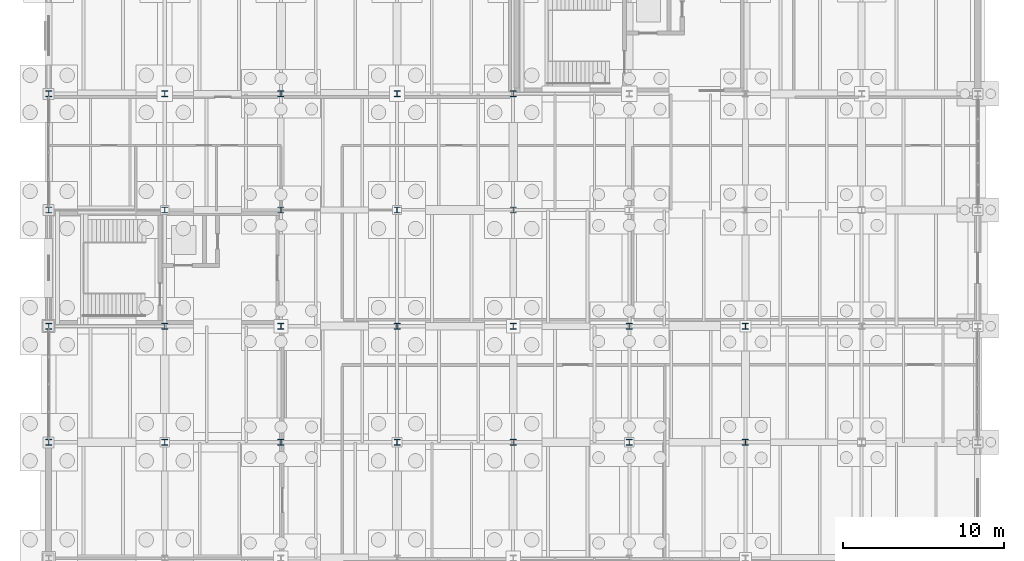
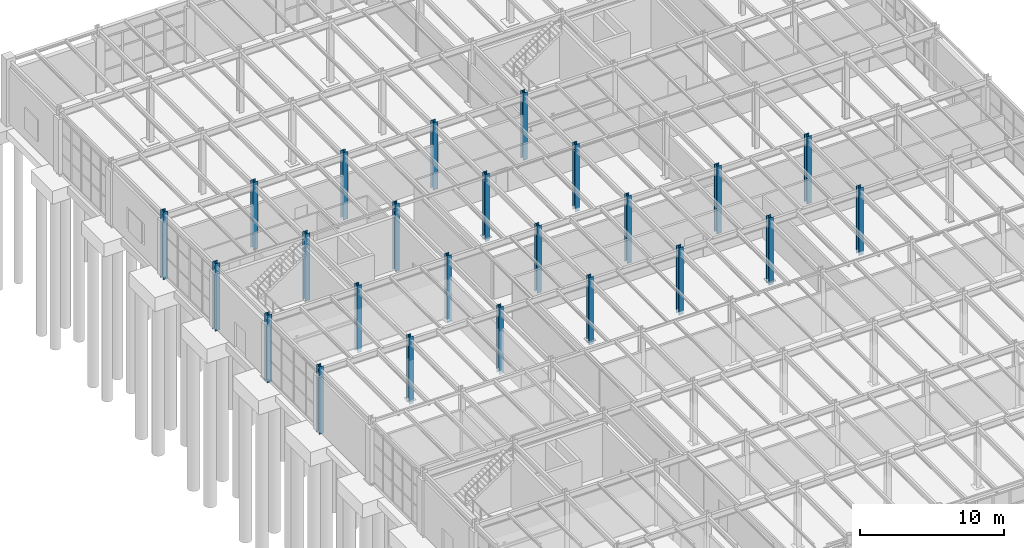
# One storey, part 17 of 293: 24 columns.
"""IFC4 building model written with IfcOpenShell, lengths in metres."""

from ifc_helpers import new_model, si_unit, direction, frame, origin, origin_2d, place, context, subcontext, project, spatial, i_section, extrude, material, material_profile, profile_set, type_object, element, save


model = new_model("IFC4")

# Units and contexts
model_context = context("Model", 3, precision=1e-05, world=origin(), true_north=direction((0.0, 1.0)))
body_context = subcontext(model_context, "Body", "Model", "MODEL_VIEW")
ifc_project = project(units=[si_unit("LENGTHUNIT", "METRE"), si_unit("AREAUNIT", "SQUARE_METRE"), si_unit("VOLUMEUNIT", "CUBIC_METRE"), si_unit("PLANEANGLEUNIT", "RADIAN"), si_unit("MASSUNIT", "GRAM", prefix="KILO")], contexts=[model_context])

# Site, building, storey
site_placement = place(None, origin())
site = spatial("IfcSite", under=ifc_project, at=site_placement, CompositionType="ELEMENT")
building_placement = place(site_placement, origin())
building = spatial("IfcBuilding", under=site, at=building_placement, Name="Kemerveld Promenade Tramway Depot", CompositionType="ELEMENT")
storey_placement = place(building_placement, origin())
storey = spatial("IfcBuildingStorey", under=building, at=storey_placement, Name="L00", CompositionType="ELEMENT", Elevation=0.0)

# Columns
ifc_material = material(Name="Steel S355", Category="steel")
ifc_material_profile = material_profile(ifc_material, i_section(OverallWidth=0.37255859375, OverallDepth=0.3681640625, WebThickness=0.014404296875, FlangeThickness=0.023681640625, FilletRadius=0.01513671875, at=origin_2d()), Name="356x368x177 UC")
ifc_profile_set = profile_set([ifc_material_profile], Name="Steel S355")
column_type = type_object("IfcColumnType", Name="COL-S03", PredefinedType="COLUMN", material=ifc_profile_set)
for number, where, z_axis, x_axis, name in (
    (1, (0.0, 36.0, -0.300048828125), (0.0, 0.0, 1.0), (1.0, 0.0, 0.0), "COL-L00-01-F"),
    (2, (0.0, 43.199951171875, -0.300048828125), (0.0, 0.0, 1.0), (1.0, 0.0, 0.0), "COL-L00-01-G"),
    (3, (0.0, 50.39990234375, -0.300048828125), (0.0, 0.0, 1.0), (1.0, 0.0, 0.0), "COL-L00-01-H"),
    (4, (0.0, 57.60009765625, -0.300048828125), (0.0, 0.0, 1.0), (1.0, 0.0, 0.0), "COL-L00-01-J"),
    (5, (7.199951171875, 36.0, -0.300048828125), (0.0, 0.0, 1.0), (1.0, 0.0, 0.0), "COL-L00-02-F"),
    (6, (7.199951171875, 43.199951171875, -0.300048828125), (0.0, 0.0, 1.0), (1.0, 0.0, 0.0), "COL-L00-02-G"),
    (7, (7.199951171875, 50.39990234375, -0.300048828125), (0.0, 0.0, 1.0), (1.0, 0.0, 0.0), "COL-L00-02-H"),
    (8, (7.199951171875, 57.60009765625, -0.300048828125), (0.0, 0.0, 1.0), (1.0, 0.0, 0.0), "COL-L00-02-J"),
    (9, (14.39990234375, 36.0, -0.300048828125), (0.0, 0.0, 1.0), (1.0, 0.0, 0.0), "COL-L00-03-F"),
    (10, (14.39990234375, 43.199951171875, -0.300048828125), (0.0, 0.0, 1.0), (1.0, 0.0, 0.0), "COL-L00-03-G"),
    (11, (14.39990234375, 50.39990234375, -0.300048828125), (0.0, 0.0, 1.0), (1.0, 0.0, 0.0), "COL-L00-03-H"),
    (12, (14.39990234375, 57.60009765625, -0.300048828125), (0.0, 0.0, 1.0), (1.0, 0.0, 0.0), "COL-L00-03-J"),
    (13, (21.60009765625, 36.0, -0.300048828125), (0.0, 0.0, 1.0), (1.0, 0.0, 0.0), "COL-L00-04-F"),
    (14, (21.60009765625, 43.199951171875, -0.300048828125), (0.0, 0.0, 1.0), (1.0, 0.0, 0.0), "COL-L00-04-G"),
    (15, (21.60009765625, 50.39990234375, -0.300048828125), (0.0, 0.0, 1.0), (1.0, 0.0, 0.0), "COL-L00-04-H"),
    (16, (21.60009765625, 57.60009765625, -0.300048828125), (0.0, 0.0, 1.0), (1.0, 0.0, 0.0), "COL-L00-04-J"),
    (17, (28.800048828125, 36.0, -0.300048828125), (0.0, 0.0, 1.0), (1.0, 0.0, 0.0), "COL-L00-05-F"),
    (18, (28.800048828125, 43.199951171875, -0.300048828125), (0.0, 0.0, 1.0), (1.0, 0.0, 0.0), "COL-L00-05-G"),
    (19, (28.800048828125, 50.39990234375, -0.300048828125), (0.0, 0.0, 1.0), (1.0, 0.0, 0.0), "COL-L00-05-H"),
    (20, (28.800048828125, 57.60009765625, -0.300048828125), (0.0, 0.0, 1.0), (1.0, 0.0, 0.0), "COL-L00-05-J"),
    (21, (36.0, 36.0, -0.300048828125), (0.0, 0.0, 1.0), (1.0, 0.0, 0.0), "COL-L00-06-F"),
    (22, (36.0, 43.199951171875, -0.300048828125), (0.0, 0.0, 1.0), (1.0, 0.0, 0.0), "COL-L00-06-G"),
    (23, (43.199951171875, 36.0, -0.300048828125), (0.0, 0.0, 1.0), (1.0, 0.0, 0.0), "COL-L00-07-F"),
    (24, (43.199951171875, 43.199951171875, -0.300048828125), (0.0, 0.0, 1.0), (1.0, 0.0, 0.0), "COL-L00-07-G"),
):
    element("IfcColumn", number, at=place(storey_placement, frame(where, z_axis=z_axis, x_axis=x_axis)), inside=storey, type_object=column_type, Name=name, PredefinedType="COLUMN", context=body_context, shape_type="SweptSolid", body=[
        extrude(i_section(OverallWidth=0.37255859375, OverallDepth=0.3681640625, WebThickness=0.014404296875, FlangeThickness=0.023681640625, FilletRadius=0.01513671875, at=origin_2d()), origin(), (0.0, 0.0, 1.0), 5.699951171875),
    ])

save(model, "model.ifc")
